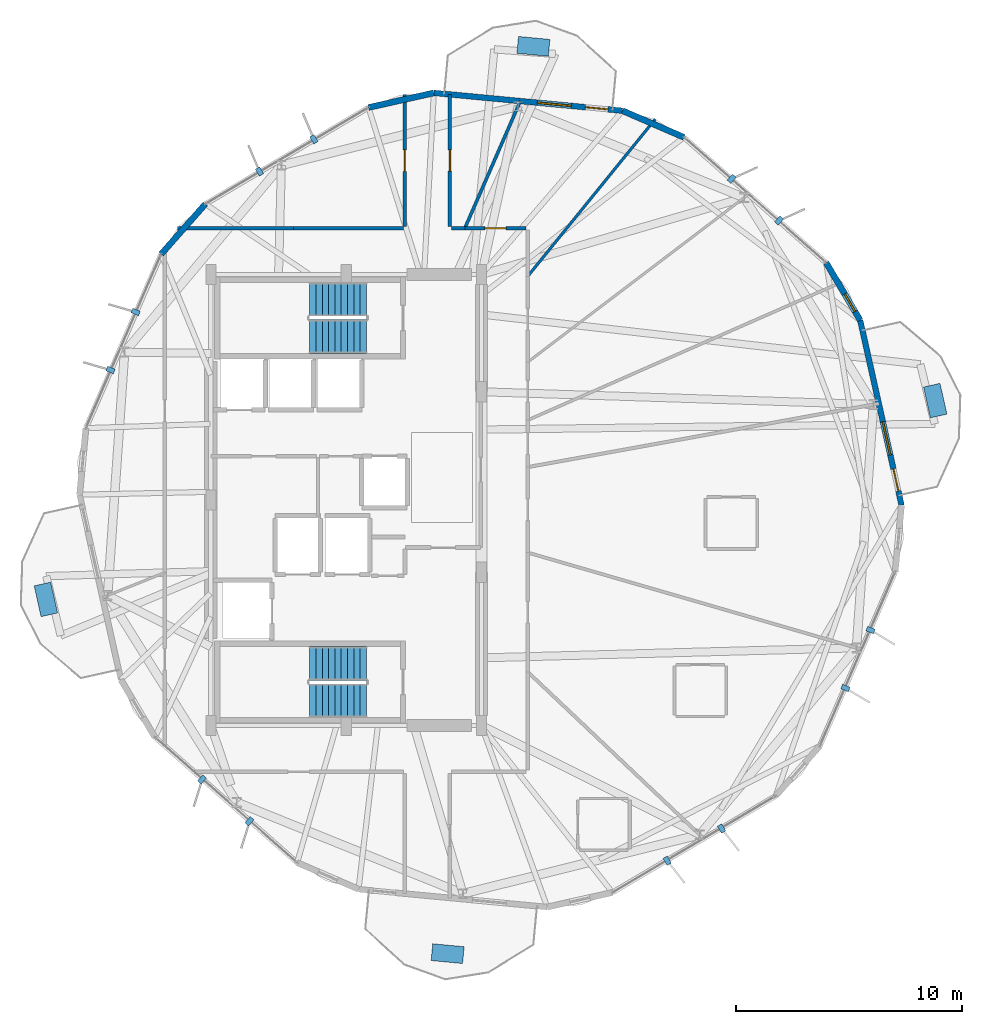
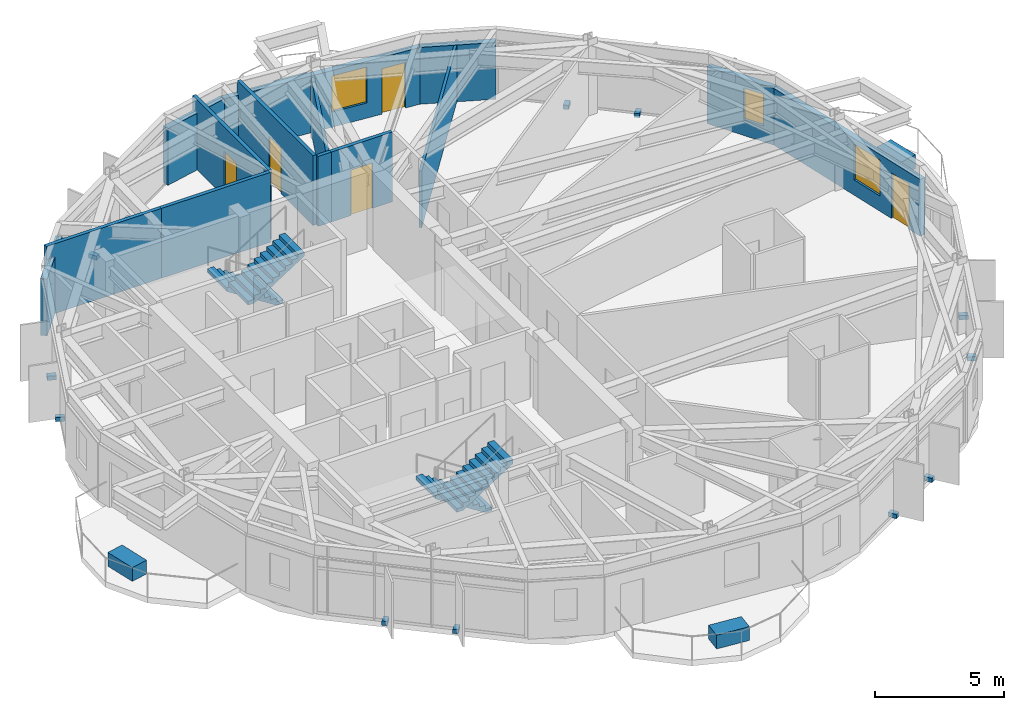
# One storey, part 18 of 21: 16 discrete accessories, 14 walls, 5 doors, 4 stair flights, 3 windows, 8 openings, 2 elements without a shape of their own.
"""IFC4 building model written with IfcOpenShell, lengths in metres."""

import ifcopenshell
import ifcopenshell.guid

model = None  # the IFC model being written
_history = None  # IfcOwnerHistory: only IFC2X3 demands one
_inside = {}  # id of a spatial element -> (the spatial element, [elements in it])
_under = {}  # id of a project, library or spatial element -> (it, [spatial elements below it])
_declared = {}  # id of a project -> (the project, [libraries it declares])
_typed = {}  # id of a type object -> (the type object, [elements of that type])
_made_of = {}  # id of a material, layer set ... -> (it, [elements and type objects made of it])


def new_model(schema):
    """Start an empty IFC model of exactly this schema.

    Asked for "IFC4X3", IfcOpenShell would pick the latest addendum, in which some entities
    have other attributes; the version numbers below select the first issue.
    IFC2X3 requires an IfcOwnerHistory on every rooted entity: one is made here for all.
    """
    global model, _history
    if schema == "IFC4X3":
        model = ifcopenshell.file(schema_version=(4, 3, 0, 0))
    else:
        model = ifcopenshell.file(schema=schema)
    _inside.clear()
    _under.clear()
    _declared.clear()
    _typed.clear()
    _made_of.clear()
    _history = None
    if model.schema == "IFC2X3":
        org = make("IfcOrganization", Name="unknown")
        user = make(
            "IfcPersonAndOrganization",
            ThePerson=make("IfcPerson", FamilyName="unknown"),
            TheOrganization=org,
        )
        app = make(
            "IfcApplication",
            ApplicationDeveloper=org,
            Version="unknown",
            ApplicationFullName="unknown",
            ApplicationIdentifier="unknown",
        )
        _history = make(
            "IfcOwnerHistory",
            OwningUser=user,
            OwningApplication=app,
            ChangeAction="ADDED",
            CreationDate=0,
        )
    return model


def make(cls, **values):
    """One entity of the class cls with the attributes given. An attribute that is None is left unset."""
    return model.create_entity(
        cls, **{name: value for name, value in values.items() if value is not None}
    )


def rooted(cls, **values):
    """An entity with a GlobalId (a new one), such as an element, a storey or a relation."""
    return make(cls, GlobalId=ifcopenshell.guid.new(), OwnerHistory=_history, **values)


def si_unit(unit_type, name, prefix=None):
    """IfcSIUnit, for example si_unit("LENGTHUNIT", "METRE", prefix="MILLI")."""
    return make("IfcSIUnit", UnitType=unit_type, Prefix=prefix, Name=name)


def assignment(units):
    """IfcUnitAssignment: the units of a project."""
    return None if units is None else make("IfcUnitAssignment", Units=units)


def point(xyz):
    """IfcCartesianPoint."""
    return None if xyz is None else make("IfcCartesianPoint", Coordinates=xyz)


def direction(xyz):
    """IfcDirection."""
    return None if xyz is None else make("IfcDirection", DirectionRatios=xyz)


def frame(location, z_axis=None, x_axis=None):
    """IfcAxis2Placement3D, a coordinate frame: its origin and axes. An axis left out is left unset."""
    return make(
        "IfcAxis2Placement3D",
        Location=point(location),
        Axis=direction(z_axis),
        RefDirection=direction(x_axis),
    )


def frame_2d(location, x_axis=None):
    """IfcAxis2Placement2D, a coordinate frame in the plane: its origin and x axis."""
    return make(
        "IfcAxis2Placement2D", Location=point(location), RefDirection=direction(x_axis)
    )


def origin():
    """The frame at (0, 0, 0) with its axes left unset."""
    return frame((0.0, 0.0, 0.0))


def origin_2d():
    """The frame at (0, 0) in the plane with its x axis left unset."""
    return frame_2d((0.0, 0.0))


def place(relative_to, where):
    """IfcLocalPlacement: puts the frame where relative to a parent placement (None: the world)."""
    return make(
        "IfcLocalPlacement", PlacementRelTo=relative_to, RelativePlacement=where
    )


def context(
    kind, dimensions, precision=None, world=None, true_north=None, identifier=None
):
    """IfcGeometricRepresentationContext, for example the 3D "Model" context."""
    return make(
        "IfcGeometricRepresentationContext",
        ContextIdentifier=identifier,
        ContextType=kind,
        CoordinateSpaceDimension=dimensions,
        Precision=precision,
        WorldCoordinateSystem=world,
        TrueNorth=true_north,
    )


def subcontext(parent, identifier, kind, view, scale=None):
    """IfcGeometricRepresentationSubContext, for example "Body" below "Model"."""
    return make(
        "IfcGeometricRepresentationSubContext",
        ContextIdentifier=identifier,
        ContextType=kind,
        ParentContext=parent,
        TargetScale=scale,
        TargetView=view,
    )


def project(units=None, contexts=None):
    """IfcProject with its units and contexts."""
    return rooted(
        "IfcProject",
        Name="project",
        RepresentationContexts=contexts,
        UnitsInContext=assignment(units),
    )


def spatial(cls, under=None, at=None, **own):
    """A site, building, storey or space (cls), placed at a placement, below another one or the project."""
    s = rooted(cls, ObjectPlacement=at, **own)
    if under is not None:
        _under.setdefault(under.id(), (under, []))[1].append(s)
    return s


def polyline(points):
    """IfcPolyline through the points."""
    return make("IfcPolyline", Points=[point(p) for p in points])


def profile(cls, at=None, kind="AREA", **sizes):
    """A parametric profile (cls). Its sizes go by their IFC names, for example OverallWidth=200.0."""
    return make(cls, ProfileType=kind, Position=at, **sizes)


def rectangle(**sizes):
    """IfcRectangleProfileDef."""
    return profile("IfcRectangleProfileDef", **sizes)


def outline(outer, holes=None, kind="AREA"):
    """IfcArbitraryClosedProfileDef: a profile drawn as a closed curve; with holes, ...WithVoids."""
    if holes is None:
        return make("IfcArbitraryClosedProfileDef", ProfileType=kind, OuterCurve=outer)
    return make(
        "IfcArbitraryProfileDefWithVoids",
        ProfileType=kind,
        OuterCurve=outer,
        InnerCurves=holes,
    )


def extrude(swept, where, along, depth):
    """IfcExtrudedAreaSolid: the profile swept, set in the frame where, extruded along a direction by depth."""
    return make(
        "IfcExtrudedAreaSolid",
        SweptArea=swept,
        Position=where,
        ExtrudedDirection=direction(along),
        Depth=depth,
    )


def shape(context_of_items, identifier, shape_type, items):
    """IfcShapeRepresentation: the items that make up one representation, for example the "Body"."""
    return make(
        "IfcShapeRepresentation",
        ContextOfItems=context_of_items,
        RepresentationIdentifier=identifier,
        RepresentationType=shape_type,
        Items=items,
    )


def material(Name=None, Category=None):
    """IfcMaterial."""
    return make("IfcMaterial", Name=Name, Category=Category)


def layer(
    of_material, thickness, ventilated=None, Name=None, Category=None, Priority=None
):
    """IfcMaterialLayer: one layer of a wall or slab, of a material (None: an air gap)."""
    return make(
        "IfcMaterialLayer",
        Material=of_material,
        LayerThickness=thickness,
        IsVentilated=ventilated,
        Name=Name,
        Category=Category,
        Priority=Priority,
    )


def layer_set(layers, Name=None):
    """IfcMaterialLayerSet."""
    return make("IfcMaterialLayerSet", MaterialLayers=layers, LayerSetName=Name)


def made_of(thing, what):
    """Note that an element or type object is made of a material, layer set ...; save() writes the relation."""
    if what is not None:
        _made_of.setdefault(what.id(), (what, []))[1].append(thing)
    return thing


def type_object(cls, material=None, **own):
    """A type object (cls), such as IfcWallType, which elements share."""
    return made_of(rooted(cls, **own), material)


def element(
    cls,
    number,
    at=None,
    inside=None,
    cuts=None,
    type_object=None,
    material=None,
    context=None,
    identifier="Body",
    shape_type=None,
    held_by="IfcProductDefinitionShape",
    body=None,
    shapes=None,
    **own,
):
    """One element of the class cls, such as IfcWall. Its Tag is "e" and its number.

    at: its placement. inside: the storey or other place that contains it. cuts: it is an
    opening in that element (IfcRelVoidsElement). A single representation is given by context,
    identifier, shape_type and body (its items); several are given by shapes. held_by: the class
    of the entity that holds the representations. save() writes the other relations.
    """
    e = rooted(cls, Tag="e%d" % number, ObjectPlacement=at, **own)
    if body is not None:
        shapes = [shape(context, identifier, shape_type, body)]
    if shapes is not None:
        e.Representation = make(held_by, Representations=shapes)
    if inside is not None:
        _inside.setdefault(inside.id(), (inside, []))[1].append(e)
    if cuts is not None:
        rooted(
            "IfcRelVoidsElement", RelatingBuildingElement=cuts, RelatedOpeningElement=e
        )
    if type_object is not None:
        _typed.setdefault(type_object.id(), (type_object, []))[1].append(e)
    return made_of(e, material)


def fill(opening, filler):
    """IfcRelFillsElement: the door or window that sits in an opening."""
    return rooted(
        "IfcRelFillsElement",
        RelatingOpeningElement=opening,
        RelatedBuildingElement=filler,
    )


def aggregate(whole, parts):
    """IfcRelAggregates: a whole, such as a stair, and the parts it consists of."""
    return rooted("IfcRelAggregates", RelatingObject=whole, RelatedObjects=parts)


def save(model, path):
    """Write the relations noted so far, then the file.

    IfcRelAggregates (storeys below a building ...), IfcRelContainedInSpatialStructure (elements
    in a storey), IfcRelDefinesByType, IfcRelAssociatesMaterial and IfcRelDeclares: one each for
    every whole, place, type object, material and project.
    """
    for whole, parts in _under.values():
        aggregate(whole, parts)
    for where, things in _inside.values():
        rooted(
            "IfcRelContainedInSpatialStructure",
            RelatedElements=things,
            RelatingStructure=where,
        )
    for kind, things in _typed.values():
        rooted("IfcRelDefinesByType", RelatedObjects=things, RelatingType=kind)
    for what, things in _made_of.values():
        rooted("IfcRelAssociatesMaterial", RelatedObjects=things, RelatingMaterial=what)
    for by, libraries in _declared.values():
        rooted("IfcRelDeclares", RelatingContext=by, RelatedDefinitions=libraries)
    model.write(path)


model = new_model("IFC4")

# Units and contexts
model_context = context("Model", 3, precision=1e-05, world=origin(), true_north=direction((0.0, 1.0)))
body_context = subcontext(model_context, "Body", "Model", "MODEL_VIEW")
ifc_project = project(units=[si_unit("LENGTHUNIT", "METRE"), si_unit("AREAUNIT", "SQUARE_METRE"), si_unit("VOLUMEUNIT", "CUBIC_METRE"), si_unit("PLANEANGLEUNIT", "RADIAN"), si_unit("MASSUNIT", "GRAM", prefix="KILO")], contexts=[model_context])

# Site, building, storey
site_placement = place(None, origin())
site = spatial("IfcSite", under=ifc_project, at=site_placement, CompositionType="ELEMENT")
building_placement = place(site_placement, origin())
building = spatial("IfcBuilding", under=site, at=building_placement, Name="Soratama Intermodal Tower", CompositionType="ELEMENT")
storey_placement = place(building_placement, frame((0.0, 0.0, 146.199951171875)))
storey = spatial("IfcBuildingStorey", under=building, at=storey_placement, Name="L35", CompositionType="ELEMENT", Elevation=146.199951171875)

# Wall, openings, door, window
ifc_material_1 = material(Name="Concrete f'c 42 MPa", Category="concrete")
ifc_layer_1 = layer(ifc_material_1, 0.25)
ifc_layer_set_1 = layer_set([ifc_layer_1], Name="Concrete f'c 42 MPa")
wall_type_1 = type_object("IfcWallType", Name="EW-BAL-250", PredefinedType="SOLIDWALL", material=ifc_layer_set_1)
wall_1_placement = place(storey_placement, frame((50.852783203125, 42.259765625, 0.0), z_axis=(0.0, 0.0, 1.0), x_axis=(-0.995561547902, 0.094112721457, 0.0)))
wall_1 = element("IfcWall", 1, at=wall_1_placement, inside=storey, type_object=wall_type_1, Name="L35 Terrace Wall F02", PredefinedType="SOLIDWALL", context=body_context, shape_type="SweptSolid", body=[
    extrude(rectangle(XDim=8.405029296875, YDim=0.25, at=frame_2d((4.20263671875, 0.0))), origin(), (0.0, 0.0, 1.0), 2.678955078125),
])
opening_1_placement = place(wall_1_placement, frame((0.64990234375, 0.0, 0.0)))
opening_1 = element("IfcOpeningElement", 2, at=opening_1_placement, cuts=wall_1, Name="Opening ED-2", PredefinedType="OPENING", context=body_context, shape_type="SweptSolid", body=[
    extrude(rectangle(XDim=1.0, YDim=2.14990234375, at=frame_2d((0.5, 1.074951171875))), frame((0.0, 0.135009765625, 0.0), z_axis=(0.0, -1.0, 0.0), x_axis=(1.0, 0.0, 0.0)), (0.0, 0.0, 1.0), 0.27001953125),
])
opening_2_placement = place(wall_1_placement, frame((2.2900390625, 0.0, 0.719970703125)))
opening_2 = element("IfcOpeningElement", 3, at=opening_2_placement, cuts=wall_1, Name="Opening WN-1", PredefinedType="OPENING", context=body_context, shape_type="SweptSolid", body=[
    extrude(rectangle(XDim=1.5, YDim=1.699951171875, at=frame_2d((0.75, 0.85009765625))), frame((0.0, 0.135009765625, 0.0), z_axis=(0.0, -1.0, 0.0), x_axis=(1.0, 0.0, 0.0)), (0.0, 0.0, 1.0), 0.27001953125),
])
ifc_material_2 = material(Name="Double-glazed aluminium door", Category="aluminium")
door_type_1 = type_object("IfcDoorType", Name="DR-BAL-1000", OperationType="NOTDEFINED", PredefinedType="DOOR", material=ifc_material_2)
door_1_placement = place(opening_1_placement, origin())
door_1 = element("IfcDoor", 4, at=door_1_placement, inside=storey, type_object=door_type_1, Name="L35 Balcony Door F02", OperationType="SINGLE_SWING_RIGHT", OverallHeight=2.14990234375, OverallWidth=1.0, PredefinedType="DOOR", context=body_context, shape_type="SweptSolid", body=[
    extrude(rectangle(XDim=1.0, YDim=2.14990234375, at=frame_2d((0.5, 1.074951171875))), frame((0.0, 0.02490234375, 0.0), z_axis=(0.0, -1.0, 0.0), x_axis=(1.0, 0.0, 0.0)), (0.0, 0.0, 1.0), 0.050048828125),
])
fill(opening_1, door_1)
ifc_material_3 = material(Name="Double-glazed aluminium window", Category="aluminium")
window_type_1 = type_object("IfcWindowType", Name="WN-FAC-1500", PartitioningType="SINGLE_PANEL", PredefinedType="WINDOW", material=ifc_material_3)
window_1_placement = place(opening_2_placement, origin())
window_1 = element("IfcWindow", 5, at=window_1_placement, inside=storey, type_object=window_type_1, Name="L35 Window B F02", OverallHeight=1.699951171875, OverallWidth=1.5, PartitioningType="SINGLE_PANEL", PredefinedType="WINDOW", context=body_context, shape_type="SweptSolid", body=[
    extrude(rectangle(XDim=1.5, YDim=1.699951171875, at=frame_2d((0.75, 0.85009765625))), frame((0.0, 0.030029296875, 0.0), z_axis=(0.0, -1.0, 0.0), x_axis=(1.0, 0.0, 0.0)), (0.0, 0.0, 1.0), 0.06005859375),
])
fill(opening_2, window_1)

wall_2_placement = place(storey_placement, frame((63.2236328125, 24.767333984375, 0.0), z_axis=(0.0, 0.0, 1.0), x_axis=(-0.218148242033, 0.975915644151, 0.0)))
wall_2 = element("IfcWall", 6, at=wall_2_placement, inside=storey, type_object=wall_type_1, Name="L35 Terrace Wall F10", PredefinedType="SOLIDWALL", context=body_context, shape_type="SweptSolid", body=[
    extrude(rectangle(XDim=8.40478515625, YDim=0.25, at=frame_2d((4.202392578125, 0.0))), origin(), (0.0, 0.0, 1.0), 2.678955078125),
])
opening_3_placement = place(wall_2_placement, frame((0.64990234375, 0.0, 0.0)))
opening_3 = element("IfcOpeningElement", 7, at=opening_3_placement, cuts=wall_2, Name="Opening ED-2", PredefinedType="OPENING", context=body_context, shape_type="SweptSolid", body=[
    extrude(rectangle(XDim=1.0, YDim=2.14990234375, at=frame_2d((0.5, 1.074951171875))), frame((0.0, 0.135009765625, 0.0), z_axis=(0.0, -1.0, 0.0), x_axis=(1.0, 0.0, 0.0)), (0.0, 0.0, 1.0), 0.27001953125),
])
opening_4_placement = place(wall_2_placement, frame((2.2900390625, 0.0, 0.719970703125)))
opening_4 = element("IfcOpeningElement", 8, at=opening_4_placement, cuts=wall_2, Name="Opening WN-1", PredefinedType="OPENING", context=body_context, shape_type="SweptSolid", body=[
    extrude(rectangle(XDim=1.5, YDim=1.699951171875, at=frame_2d((0.75, 0.85009765625))), frame((0.0, 0.135009765625, 0.0), z_axis=(0.0, -1.0, 0.0), x_axis=(1.0, 0.0, 0.0)), (0.0, 0.0, 1.0), 0.27001953125),
])
door_2_placement = place(opening_3_placement, origin())
door_2 = element("IfcDoor", 9, at=door_2_placement, inside=storey, type_object=door_type_1, Name="L35 Balcony Door F10", OperationType="SINGLE_SWING_RIGHT", OverallHeight=2.14990234375, OverallWidth=1.0, PredefinedType="DOOR", context=body_context, shape_type="SweptSolid", body=[
    extrude(rectangle(XDim=1.0, YDim=2.14990234375, at=frame_2d((0.5, 1.074951171875))), frame((0.0, 0.02490234375, 0.0), z_axis=(0.0, -1.0, 0.0), x_axis=(1.0, 0.0, 0.0)), (0.0, 0.0, 1.0), 0.050048828125),
])
fill(opening_3, door_2)
window_2_placement = place(opening_4_placement, origin())
window_2 = element("IfcWindow", 10, at=window_2_placement, inside=storey, type_object=window_type_1, Name="L35 Window B F10", OverallHeight=1.699951171875, OverallWidth=1.5, PartitioningType="SINGLE_PANEL", PredefinedType="WINDOW", context=body_context, shape_type="SweptSolid", body=[
    extrude(rectangle(XDim=1.5, YDim=1.699951171875, at=frame_2d((0.75, 0.85009765625))), frame((0.0, 0.030029296875, 0.0), z_axis=(0.0, -1.0, 0.0), x_axis=(1.0, 0.0, 0.0)), (0.0, 0.0, 1.0), 0.06005859375),
])
fill(opening_4, window_2)

# Walls
ifc_material_4 = material(Name="Concrete f'c 42 MPa", Category="concrete")
ifc_layer_2 = layer(ifc_material_4, 0.27001953125)
ifc_layer_set_2 = layer_set([ifc_layer_2], Name="Concrete f'c 42 MPa")
wall_type_2 = type_object("IfcWallType", Name="EW-CRN-270", PredefinedType="SOLIDWALL", material=ifc_layer_set_2)
wall_3_placement = place(storey_placement, frame((53.5751953125, 41.08154296875, 0.0), z_axis=(0.0, 0.0, 1.0), x_axis=(-0.917738684301, 0.397184726969, 0.0)))
element("IfcWall", 11, at=wall_3_placement, inside=storey, type_object=wall_type_2, Name="L35 Corner Closure Wall 01", PredefinedType="SOLIDWALL", context=body_context, shape_type="SweptSolid", body=[
    extrude(rectangle(XDim=2.966552734375, YDim=0.27001953125, at=frame_2d((1.4833984375, 0.0))), origin(), (0.0, 0.0, 1.0), 2.678955078125),
])
wall_4_placement = place(storey_placement, frame((42.485107421875, 43.05078125, 0.0), z_axis=(0.0, 0.0, 1.0), x_axis=(-0.975913267769, -0.218158872827, 0.0)))
element("IfcWall", 12, at=wall_4_placement, inside=storey, type_object=wall_type_2, Name="L35 Corner Closure Wall 02", PredefinedType="SOLIDWALL", context=body_context, shape_type="SweptSolid", body=[
    extrude(rectangle(XDim=2.966796875, YDim=0.27001953125, at=frame_2d((1.4833984375, 0.0))), origin(), (0.0, 0.0, 1.0), 2.678955078125),
])
wall_5_placement = place(storey_placement, frame((32.35546875, 38.125, 0.0), z_axis=(0.0, 0.0, 1.0), x_axis=(-0.661354843955, -0.750073176681, 0.0)))
element("IfcWall", 13, at=wall_5_placement, inside=storey, type_object=wall_type_2, Name="L35 Corner Closure Wall 03", PredefinedType="SOLIDWALL", context=body_context, shape_type="SweptSolid", body=[
    extrude(rectangle(XDim=2.966552734375, YDim=0.27001953125, at=frame_2d((1.4833984375, 0.0))), origin(), (0.0, 0.0, 1.0), 2.678955078125),
])

# Wall, opening, window
wall_6_placement = place(storey_placement, frame((61.39013671875, 32.9697265625, 0.0), z_axis=(0.0, 0.0, 1.0), x_axis=(-0.509075841799, 0.860721666566, 0.0)))
wall_6 = element("IfcWall", 14, at=wall_6_placement, inside=storey, type_object=wall_type_2, Name="L35 Corner Closure Wall 10", PredefinedType="SOLIDWALL", context=body_context, shape_type="SweptSolid", body=[
    extrude(rectangle(XDim=2.966552734375, YDim=0.27001953125, at=frame_2d((1.4833984375, 0.0))), origin(), (0.0, 0.0, 1.0), 2.678955078125),
])
opening_5_placement = place(wall_6_placement, frame((0.449951171875, 0.0, 0.75)))
opening_5 = element("IfcOpeningElement", 15, at=opening_5_placement, cuts=wall_6, Name="Opening WN-6", PredefinedType="OPENING", context=body_context, shape_type="SweptSolid", body=[
    extrude(rectangle(XDim=0.89990234375, YDim=1.5, at=frame_2d((0.449951171875, 0.75))), frame((0.0, 0.14501953125, 0.0), z_axis=(0.0, -1.0, 0.0), x_axis=(1.0, 0.0, 0.0)), (0.0, 0.0, 1.0), 0.2900390625),
])
ifc_material_5 = material(Name="Double-glazed aluminium window", Category="aluminium")
window_type_2 = type_object("IfcWindowType", Name="WN-FAC-900", PartitioningType="SINGLE_PANEL", PredefinedType="WINDOW", material=ifc_material_5)
window_3_placement = place(opening_5_placement, origin())
window_3 = element("IfcWindow", 16, at=window_3_placement, inside=storey, type_object=window_type_2, Name="L35 Corner Window 10", OverallHeight=1.5, OverallWidth=0.89990234375, PartitioningType="SINGLE_PANEL", PredefinedType="WINDOW", context=body_context, shape_type="SweptSolid", body=[
    extrude(rectangle(XDim=0.89990234375, YDim=1.5, at=frame_2d((0.449951171875, 0.75))), frame((0.0, 0.030029296875, 0.0), z_axis=(0.0, -1.0, 0.0), x_axis=(1.0, 0.0, 0.0)), (0.0, 0.0, 1.0), 0.06005859375),
])
fill(opening_5, window_3)

# Wall, opening, door
ifc_material_6 = material(Name="Fire-rated gypsum stud partition", Category="concrete")
ifc_layer_3 = layer(ifc_material_6, 0.159912109375)
ifc_layer_set_3 = layer_set([ifc_layer_3], Name="Fire-rated gypsum stud partition")
wall_type_3 = type_object("IfcWallType", Name="IW-PART-R160", PredefinedType="PARTITIONING", material=ifc_layer_set_3)
wall_7_placement = place(storey_placement, frame((43.199951171875, 42.98291015625, 0.0), z_axis=(0.0, 0.0, 1.0), x_axis=(0.0, -1.0, 0.0)))
wall_7 = element("IfcWall", 17, at=wall_7_placement, inside=storey, type_object=wall_type_3, Name="L35 Partition W-L35-TP012", PredefinedType="PARTITIONING", context=body_context, shape_type="SweptSolid", body=[
    extrude(rectangle(XDim=5.86279296875, YDim=0.159912109375, at=frame_2d((2.931396484375, 0.0))), origin(), (0.0, 0.0, 1.0), 3.300048828125),
])
opening_6_placement = place(wall_7_placement, frame((2.4560546875, 0.0, 0.0)))
opening_6 = element("IfcOpeningElement", 18, at=opening_6_placement, cuts=wall_7, Name="Opening ID-3", PredefinedType="OPENING", context=body_context, shape_type="SweptSolid", body=[
    extrude(rectangle(XDim=0.949951171875, YDim=2.14990234375, at=frame_2d((0.47509765625, 1.074951171875))), frame((0.0, 0.08984375, 0.0), z_axis=(0.0, -1.0, 0.0), x_axis=(1.0, 0.0, 0.0)), (0.0, 0.0, 1.0), 0.179931640625),
])
ifc_material_7 = material(Name="Solid hardwood acoustic door", Category="wood")
door_type_2 = type_object("IfcDoorType", Name="DR-ROOM-950", OperationType="NOTDEFINED", PredefinedType="DOOR", material=ifc_material_7)
door_3_placement = place(opening_6_placement, origin())
door_3 = element("IfcDoor", 19, at=door_3_placement, inside=storey, type_object=door_type_2, Name="L35 Door D-L35-TP005", OperationType="SINGLE_SWING_RIGHT", OverallHeight=2.14990234375, OverallWidth=0.949951171875, PredefinedType="DOOR", context=body_context, shape_type="SweptSolid", body=[
    extrude(rectangle(XDim=0.949951171875, YDim=2.14990234375, at=frame_2d((0.47509765625, 1.074951171875))), frame((0.0, 0.02490234375, 0.0), z_axis=(0.0, -1.0, 0.0), x_axis=(1.0, 0.0, 0.0)), (0.0, 0.0, 1.0), 0.050048828125),
])
fill(opening_6, door_3)

wall_8_placement = place(storey_placement, frame((41.199951171875, 37.1201171875, 0.0), z_axis=(0.0, 0.0, 1.0), x_axis=(0.0, 1.0, 0.0)))
wall_8 = element("IfcWall", 20, at=wall_8_placement, inside=storey, type_object=wall_type_3, Name="L35 Partition W-L35-TP013", PredefinedType="PARTITIONING", context=body_context, shape_type="SweptSolid", body=[
    extrude(rectangle(XDim=5.849853515625, YDim=0.159912109375, at=frame_2d((2.9248046875, 0.0))), origin(), (0.0, 0.0, 1.0), 3.300048828125),
])
opening_7_placement = place(wall_8_placement, frame((2.449951171875, 0.0, 0.0)))
opening_7 = element("IfcOpeningElement", 21, at=opening_7_placement, cuts=wall_8, Name="Opening ID-3", PredefinedType="OPENING", context=body_context, shape_type="SweptSolid", body=[
    extrude(rectangle(XDim=0.949951171875, YDim=2.14990234375, at=frame_2d((0.47509765625, 1.074951171875))), frame((0.0, 0.08984375, 0.0), z_axis=(0.0, -1.0, 0.0), x_axis=(1.0, 0.0, 0.0)), (0.0, 0.0, 1.0), 0.179931640625),
])
door_4_placement = place(opening_7_placement, origin())
door_4 = element("IfcDoor", 22, at=door_4_placement, inside=storey, type_object=door_type_2, Name="L35 Door D-L35-TP006", OperationType="SINGLE_SWING_LEFT", OverallHeight=2.14990234375, OverallWidth=0.949951171875, PredefinedType="DOOR", context=body_context, shape_type="SweptSolid", body=[
    extrude(rectangle(XDim=0.949951171875, YDim=2.14990234375, at=frame_2d((0.47509765625, 1.074951171875))), frame((0.0, 0.02490234375, 0.0), z_axis=(0.0, -1.0, 0.0), x_axis=(1.0, 0.0, 0.0)), (0.0, 0.0, 1.0), 0.050048828125),
])
fill(opening_7, door_4)

# Walls
wall_9_placement = place(storey_placement, frame((31.123046875, 37.050048828125, 0.0), z_axis=(0.0, 0.0, 1.0), x_axis=(1.0, 0.0, 0.0)))
element("IfcWall", 23, at=wall_9_placement, inside=storey, type_object=wall_type_3, Name="L35 Partition W-L35-TP017", PredefinedType="PARTITIONING", context=body_context, shape_type="SweptSolid", body=[
    extrude(rectangle(XDim=5.14404296875, YDim=0.159912109375, at=frame_2d((2.572021484375, 0.0))), origin(), (0.0, 0.0, 1.0), 3.300048828125),
])
wall_10_placement = place(storey_placement, frame((36.26806640625, 37.050048828125, 0.0), z_axis=(0.0, 0.0, 1.0), x_axis=(1.0, 0.0, 0.0)))
element("IfcWall", 24, at=wall_10_placement, inside=storey, type_object=wall_type_3, Name="L35 Partition W-L35-TP018", PredefinedType="PARTITIONING", context=body_context, shape_type="SweptSolid", body=[
    extrude(rectangle(XDim=4.86181640625, YDim=0.159912109375, at=frame_2d((2.430908203125, 0.0))), origin(), (0.0, 0.0, 1.0), 3.300048828125),
])

# Wall, opening, door
wall_11_placement = place(storey_placement, frame((43.860107421875, 37.050048828125, 0.0), z_axis=(0.0, 0.0, 1.0), x_axis=(1.0, 0.0, 0.0)))
wall_11 = element("IfcWall", 25, at=wall_11_placement, inside=storey, type_object=wall_type_3, Name="L35 Partition W-L35-TP026", PredefinedType="PARTITIONING", context=body_context, shape_type="SweptSolid", body=[
    extrude(rectangle(XDim=2.719970703125, YDim=0.159912109375, at=frame_2d((1.35986328125, 0.0))), origin(), (0.0, 0.0, 1.0), 3.300048828125),
])
opening_8_placement = place(wall_11_placement, frame((0.885009765625, 0.0, 0.0)))
opening_8 = element("IfcOpeningElement", 26, at=opening_8_placement, cuts=wall_11, Name="Opening ID-3", PredefinedType="OPENING", context=body_context, shape_type="SweptSolid", body=[
    extrude(rectangle(XDim=0.949951171875, YDim=2.14990234375, at=frame_2d((0.47509765625, 1.074951171875))), frame((0.0, 0.08984375, 0.0), z_axis=(0.0, -1.0, 0.0), x_axis=(1.0, 0.0, 0.0)), (0.0, 0.0, 1.0), 0.179931640625),
])
door_5_placement = place(opening_8_placement, origin())
door_5 = element("IfcDoor", 27, at=door_5_placement, inside=storey, type_object=door_type_2, Name="L35 Door D-L35-TP013", OperationType="SINGLE_SWING_RIGHT", OverallHeight=2.14990234375, OverallWidth=0.949951171875, PredefinedType="DOOR", context=body_context, shape_type="SweptSolid", body=[
    extrude(rectangle(XDim=0.949951171875, YDim=2.14990234375, at=frame_2d((0.47509765625, 1.074951171875))), frame((0.0, 0.02490234375, 0.0), z_axis=(0.0, -1.0, 0.0), x_axis=(1.0, 0.0, 0.0)), (0.0, 0.0, 1.0), 0.050048828125),
])
fill(opening_8, door_5)

# Walls
wall_12_placement = place(storey_placement, frame((43.27001953125, 37.050048828125, 0.0), z_axis=(0.0, 0.0, 1.0), x_axis=(1.0, 0.0, 0.0)))
element("IfcWall", 28, at=wall_12_placement, inside=storey, type_object=wall_type_3, Name="L35 Partition W-L35-TP046", PredefinedType="PARTITIONING", context=body_context, shape_type="SweptSolid", body=[
    extrude(rectangle(XDim=0.590087890625, YDim=0.159912109375, at=frame_2d((0.294921875, 0.0))), origin(), (0.0, 0.0, 1.0), 3.300048828125),
])
ifc_material_8 = material(Name="Fire-rated gypsum stud partition", Category="concrete")
ifc_layer_4 = layer(ifc_material_8, 0.1201171875)
ifc_layer_set_4 = layer_set([ifc_layer_4], Name="Fire-rated gypsum stud partition")
wall_type_4 = type_object("IfcWallType", Name="IW-PART-S120", PredefinedType="PARTITIONING", material=ifc_layer_set_4)
wall_13_placement = place(storey_placement, frame((46.64990234375, 34.9208984375, 0.0), z_axis=(0.0, 0.0, 1.0), x_axis=(0.630132507275, 0.776487619524, 0.0)))
element("IfcWall", 29, at=wall_13_placement, inside=storey, type_object=wall_type_4, Name="L35 Partition W-L35-TP008", PredefinedType="PARTITIONING", context=body_context, shape_type="SweptSolid", body=[
    extrude(rectangle(XDim=8.97119140625, YDim=0.1201171875, at=frame_2d((4.485595703125, 0.0))), origin(), (0.0, 0.0, 1.0), 2.677978515625),
])
ifc_material_9 = material(Name="Fire-rated gypsum stud partition", Category="concrete")
ifc_layer_5 = layer(ifc_material_9, 0.139892578125)
ifc_layer_set_5 = layer_set([ifc_layer_5], Name="Fire-rated gypsum stud partition")
wall_type_5 = type_object("IfcWallType", Name="IW-PART-S140", PredefinedType="PARTITIONING", material=ifc_layer_set_5)
wall_14_placement = place(storey_placement, frame((43.860107421875, 37.050048828125, 0.0), z_axis=(0.0, 0.0, 1.0), x_axis=(0.400046288898, 0.916494935468, 0.0)))
element("IfcWall", 30, at=wall_14_placement, inside=storey, type_object=wall_type_5, Name="L35 Partition W-L35-TP011", PredefinedType="PARTITIONING", context=body_context, shape_type="SweptSolid", body=[
    extrude(rectangle(XDim=6.151611328125, YDim=0.139892578125, at=frame_2d((3.07568359375, 0.0))), origin(), (0.0, 0.0, 1.0), 2.594970703125),
])

# Stair, stair flights
ifc_material_10 = material(Name="Concrete f'c 42 MPa", Category="concrete")
stair_type = type_object("IfcStairType", Name="ST-CORE-DOGLEG", PredefinedType="HALF_TURN_STAIR", material=ifc_material_10)
stair_1_placement = place(storey_placement, origin())
stair_1 = element("IfcStair", 31, at=stair_1_placement, inside=storey, type_object=stair_type, Name="L35 ST-1", PredefinedType="HALF_TURN_STAIR")
ifc_material_11 = material(Name="Precast concrete f'c 40 MPa", Category="concrete")
ifc_layer_6 = layer(ifc_material_11, 0.199951171875)
ifc_layer_set_6 = layer_set([ifc_layer_6], Name="Precast concrete f'c 40 MPa")
stair_flight_type = type_object("IfcStairFlightType", Name="SF-FLIGHT-RC", PredefinedType="STRAIGHT", material=ifc_layer_set_6)
stair_flight_1_placement = place(storey_placement, frame((39.5, 17.75, 0.0), z_axis=(0.0, 0.0, 1.0), x_axis=(-1.0, 0.0, 0.0)))
stair_flight_1 = element("IfcStairFlight", 32, at=stair_flight_1_placement, type_object=stair_flight_type, Name="ST-1 flight 1", NumberOfRisers=10, NumberOfTreads=9, PredefinedType="STRAIGHT", RiserHeight=0.18, TreadLength=0.28, context=body_context, shape_type="SweptSolid", body=[
    extrude(outline(polyline([(0.0, 0.0), (0.0, 0.179931640625), (0.280029296875, 0.179931640625), (0.280029296875, 0.360107421875), (0.56005859375, 0.360107421875), (0.56005859375, 0.5400390625), (0.840087890625, 0.5400390625), (0.840087890625, 0.719970703125), (1.1201171875, 0.719970703125), (1.1201171875, 0.89990234375), (1.39990234375, 0.89990234375), (1.39990234375, 1.080078125), (1.679931640625, 1.080078125), (1.679931640625, 1.260009765625), (1.9599609375, 1.260009765625), (1.9599609375, 1.43994140625), (2.239990234375, 1.43994140625), (2.239990234375, 1.6201171875), (2.52001953125, 1.6201171875), (2.52001953125, 1.800048828125), (2.52001953125, 1.44189453125), (0.277099609375, 0.0), (0.0, 0.0)])), frame((0.0, 0.75, 0.0), z_axis=(0.0, -1.0, 0.0), x_axis=(1.0, 0.0, 0.0)), (0.0, 0.0, 1.0), 1.5),
])
stair_flight_2_placement = place(storey_placement, frame((36.97998046875, 16.10009765625, 1.800048828125), z_axis=(0.0, 0.0, 1.0), x_axis=(1.0, 0.0, 0.0)))
stair_flight_2 = element("IfcStairFlight", 33, at=stair_flight_2_placement, type_object=stair_flight_type, Name="ST-1 flight 2", NumberOfRisers=10, NumberOfTreads=9, PredefinedType="STRAIGHT", RiserHeight=0.18, TreadLength=0.28, context=body_context, shape_type="SweptSolid", body=[
    extrude(outline(polyline([(0.0, 0.0), (0.0, 0.179931640625), (0.280029296875, 0.179931640625), (0.280029296875, 0.360107421875), (0.56005859375, 0.360107421875), (0.56005859375, 0.5400390625), (0.840087890625, 0.5400390625), (0.840087890625, 0.719970703125), (1.1201171875, 0.719970703125), (1.1201171875, 0.89990234375), (1.39990234375, 0.89990234375), (1.39990234375, 1.080078125), (1.679931640625, 1.080078125), (1.679931640625, 1.260009765625), (1.9599609375, 1.260009765625), (1.9599609375, 1.43994140625), (2.239990234375, 1.43994140625), (2.239990234375, 1.6201171875), (2.52001953125, 1.6201171875), (2.52001953125, 1.800048828125), (2.52001953125, 1.44189453125), (0.277099609375, 0.0), (0.0, 0.0)])), frame((0.0, 0.75, 0.0), z_axis=(0.0, -1.0, 0.0), x_axis=(1.0, 0.0, 0.0)), (0.0, 0.0, 1.0), 1.5),
])
aggregate(stair_1, [stair_flight_1, stair_flight_2])

stair_2_placement = place(storey_placement, origin())
stair_2 = element("IfcStair", 34, at=stair_2_placement, inside=storey, type_object=stair_type, Name="L35 ST-2", PredefinedType="HALF_TURN_STAIR")
stair_flight_3_placement = place(storey_placement, frame((39.5, 33.89990234375, 0.0), z_axis=(0.0, 0.0, 1.0), x_axis=(-1.0, 0.0, 0.0)))
stair_flight_3 = element("IfcStairFlight", 35, at=stair_flight_3_placement, type_object=stair_flight_type, Name="ST-2 flight 1", NumberOfRisers=10, NumberOfTreads=9, PredefinedType="STRAIGHT", RiserHeight=0.18, TreadLength=0.28, context=body_context, shape_type="SweptSolid", body=[
    extrude(outline(polyline([(0.0, 0.0), (0.0, 0.179931640625), (0.280029296875, 0.179931640625), (0.280029296875, 0.360107421875), (0.56005859375, 0.360107421875), (0.56005859375, 0.5400390625), (0.840087890625, 0.5400390625), (0.840087890625, 0.719970703125), (1.1201171875, 0.719970703125), (1.1201171875, 0.89990234375), (1.39990234375, 0.89990234375), (1.39990234375, 1.080078125), (1.679931640625, 1.080078125), (1.679931640625, 1.260009765625), (1.9599609375, 1.260009765625), (1.9599609375, 1.43994140625), (2.239990234375, 1.43994140625), (2.239990234375, 1.6201171875), (2.52001953125, 1.6201171875), (2.52001953125, 1.800048828125), (2.52001953125, 1.44189453125), (0.277099609375, 0.0), (0.0, 0.0)])), frame((0.0, 0.75, 0.0), z_axis=(0.0, -1.0, 0.0), x_axis=(1.0, 0.0, 0.0)), (0.0, 0.0, 1.0), 1.5),
])
stair_flight_4_placement = place(storey_placement, frame((36.97998046875, 32.25, 1.800048828125), z_axis=(0.0, 0.0, 1.0), x_axis=(1.0, 0.0, 0.0)))
stair_flight_4 = element("IfcStairFlight", 36, at=stair_flight_4_placement, type_object=stair_flight_type, Name="ST-2 flight 2", NumberOfRisers=10, NumberOfTreads=9, PredefinedType="STRAIGHT", RiserHeight=0.18, TreadLength=0.28, context=body_context, shape_type="SweptSolid", body=[
    extrude(outline(polyline([(0.0, 0.0), (0.0, 0.179931640625), (0.280029296875, 0.179931640625), (0.280029296875, 0.360107421875), (0.56005859375, 0.360107421875), (0.56005859375, 0.5400390625), (0.840087890625, 0.5400390625), (0.840087890625, 0.719970703125), (1.1201171875, 0.719970703125), (1.1201171875, 0.89990234375), (1.39990234375, 0.89990234375), (1.39990234375, 1.080078125), (1.679931640625, 1.080078125), (1.679931640625, 1.260009765625), (1.9599609375, 1.260009765625), (1.9599609375, 1.43994140625), (2.239990234375, 1.43994140625), (2.239990234375, 1.6201171875), (2.52001953125, 1.6201171875), (2.52001953125, 1.800048828125), (2.52001953125, 1.44189453125), (0.277099609375, 0.0), (0.0, 0.0)])), frame((0.0, 0.75, 0.0), z_axis=(0.0, -1.0, 0.0), x_axis=(1.0, 0.0, 0.0)), (0.0, 0.0, 1.0), 1.5),
])
aggregate(stair_2, [stair_flight_3, stair_flight_4])

# Discrete accessories
ifc_material_12 = material(Name="Structural steel ASTM A992 Grade 50", Category="steel")
discrete_accessory_type_1 = type_object("IfcDiscreteAccessoryType", Name="AC-FIN-BRACKET", PredefinedType="BRACKET", material=ifc_material_12)
for number, where, z_axis, x_axis, name in (
    (37, (57.791748046875, 37.39111328125, -0.080078125), (0.0, 0.0, 1.0), (0.661311865324, 0.75011106963, 0.0), "L35 Fin Bracket F01-1"),
    (38, (55.690185546875, 39.243896484375, -0.080078125), (0.0, 0.0, 1.0), (0.661311865324, 0.75011106963, 0.0), "L35 Fin Bracket F01-2"),
    (39, (37.168212890625, 40.99462890625, -0.080078125), (0.0, 0.0, 1.0), (-0.50904141575, 0.860742027004, 0.0), "L35 Fin Bracket F03-1"),
    (40, (34.756591796875, 39.568603515625, -0.080078125), (0.0, 0.0, 1.0), (-0.50904141575, 0.860742027004, 0.0), "L35 Fin Bracket F03-2"),
    (41, (29.2626953125, 33.336669921875, -0.080078125), (0.0, 0.0, 1.0), (-0.917754625684, 0.397147890635, 0.0), "L35 Fin Bracket F04-1"),
    (42, (28.14990234375, 30.765380859375, -0.080078125), (0.0, 0.0, 1.0), (-0.917754625684, 0.397147890635, 0.0), "L35 Fin Bracket F04-2"),
    (43, (32.208251953125, 12.60888671875, -0.080078125), (0.0, 0.0, 1.0), (-0.661311865324, -0.75011106963, 0.0), "L35 Fin Bracket F06-1"),
    (44, (34.309814453125, 10.756103515625, -0.080078125), (0.0, 0.0, 1.0), (-0.661311865324, -0.75011106963, 0.0), "L35 Fin Bracket F06-2"),
    (45, (52.831787109375, 9.00537109375, -0.080078125), (0.0, 0.0, 1.0), (0.50904141575, -0.860742027004, 0.0), "L35 Fin Bracket F08-1"),
    (46, (55.243408203125, 10.431396484375, -0.080078125), (0.0, 0.0, 1.0), (0.50904141575, -0.860742027004, 0.0), "L35 Fin Bracket F08-2"),
    (47, (60.7373046875, 16.663330078125, -0.080078125), (0.0, 0.0, 1.0), (0.917754625684, -0.397147890635, 0.0), "L35 Fin Bracket F09-1"),
    (48, (61.85009765625, 19.234619140625, -0.080078125), (0.0, 0.0, 1.0), (0.917754625684, -0.397147890635, 0.0), "L35 Fin Bracket F09-2"),
):
    element("IfcDiscreteAccessory", number, at=place(storey_placement, frame(where, z_axis=z_axis, x_axis=x_axis)), inside=storey, type_object=discrete_accessory_type_1, Name=name, PredefinedType="BRACKET", context=body_context, shape_type="SweptSolid", body=[
        extrude(rectangle(XDim=0.360107421875, YDim=0.219970703125, at=origin_2d()), origin(), (0.0, 0.0, 1.0), 0.199951171875),
    ])
ifc_material_13 = material(Name="Precast concrete f'c 40 MPa", Category="concrete")
discrete_accessory_type_2 = type_object("IfcDiscreteAccessoryType", Name="AC-PLANTER-TREE", PredefinedType="USERDEFINED", material=ifc_material_13)
for number, where, z_axis, x_axis, name in (
    (49, (64.71728515625, 29.407470703125, 0.0), (0.0, 0.0, 1.0), (0.975916761939, 0.218143241397, 0.0), "L35 Tree Planter 1"),
    (50, (46.9013671875, 45.1142578125, 0.0), (0.0, 0.0, 1.0), (0.094108313319, 0.995561964603, 0.0), "L35 Tree Planter 2"),
    (51, (25.28271484375, 20.592529296875, 0.0), (0.0, 0.0, 1.0), (-0.975916761939, -0.218143241397, 0.0), "L35 Tree Planter 3"),
    (52, (43.0986328125, 4.8857421875, 0.0), (0.0, 0.0, 1.0), (-0.094108313319, -0.995561964603, 0.0), "L35 Tree Planter 4"),
):
    element("IfcDiscreteAccessory", number, at=place(storey_placement, frame(where, z_axis=z_axis, x_axis=x_axis)), inside=storey, type_object=discrete_accessory_type_2, Name=name, ObjectType="PLANTER", PredefinedType="USERDEFINED", context=body_context, shape_type="SweptSolid", body=[
        extrude(rectangle(XDim=0.75, YDim=1.39990234375, at=origin_2d()), origin(), (0.0, 0.0, 1.0), 0.64990234375),
    ])

save(model, "model.ifc")
